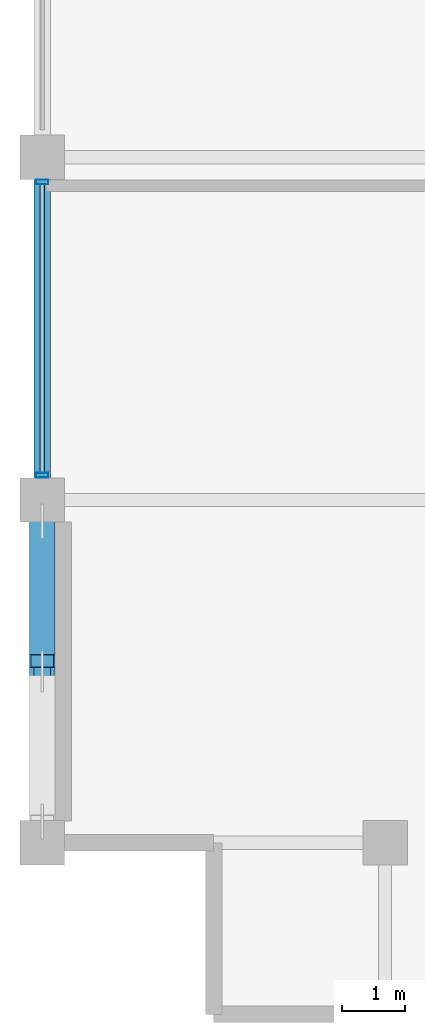
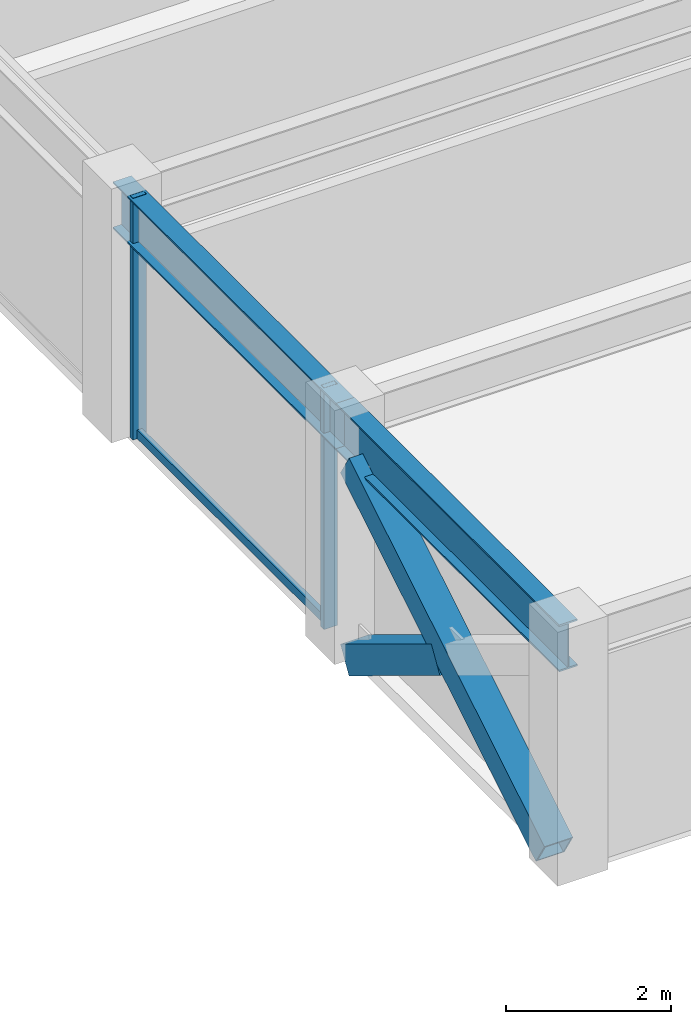
# One storey, part 4 of 30: 5 members, 2 beams, 1 element without a shape of its own.
"""IFC4 building model written with IfcOpenShell, lengths in metres."""

from ifc_helpers import new_model, si_unit, direction, frame, origin, origin_2d, place, context, subcontext, project, spatial, hollow_rectangle, i_section, extrude, material, layer, layer_set, material_profile, profile_set, type_object, element, aggregate, save


model = new_model("IFC4")

# Units and contexts
model_context = context("Model", 3, precision=1e-05, world=origin(), true_north=direction((0.0, 1.0)))
body_context = subcontext(model_context, "Body", "Model", "MODEL_VIEW")
ifc_project = project(units=[si_unit("LENGTHUNIT", "METRE"), si_unit("AREAUNIT", "SQUARE_METRE"), si_unit("VOLUMEUNIT", "CUBIC_METRE"), si_unit("PLANEANGLEUNIT", "RADIAN"), si_unit("MASSUNIT", "GRAM", prefix="KILO")], contexts=[model_context])

# Site, building, storey
site_placement = place(None, origin())
site = spatial("IfcSite", under=ifc_project, at=site_placement, CompositionType="ELEMENT")
building_placement = place(site_placement, origin())
building = spatial("IfcBuilding", under=site, at=building_placement, Name="Surkhivell Harbour Commons", CompositionType="ELEMENT")
storey_placement = place(building_placement, frame((0.0, 0.0, 292.5)))
storey = spatial("IfcBuildingStorey", under=building, at=storey_placement, Name="L76", CompositionType="ELEMENT", Elevation=292.5)

# Beams
ifc_material_1 = material(Name="Steel S355", Category="steel")
ifc_material_profile_1 = material_profile(ifc_material_1, i_section(OverallWidth=0.256103515625, OverallDepth=0.693115234375, WebThickness=0.014404296875, FlangeThickness=0.023681640625, at=origin_2d()), Name="UB686x254x170")
ifc_profile_set_1 = profile_set([ifc_material_profile_1], Name="Steel S355")
beam_type = type_object("IfcBeamType", Name="BM-SPN-686", PredefinedType="SPANDREL", material=ifc_profile_set_1)
beam_1_placement = place(storey_placement, frame((-27.0, -16.199951171875, 3.223388671875), z_axis=(0.0, 1.0, 0.0), x_axis=(-1.0, 0.0, 0.0)))
element("IfcBeam", 1, at=beam_1_placement, inside=storey, type_object=beam_type, Name="L76 Tube Spandrel (-27.0,-16.2)", PredefinedType="SPANDREL", context=body_context, shape_type="SweptSolid", body=[
    extrude(i_section(OverallWidth=0.256103515625, OverallDepth=0.693115234375, WebThickness=0.014404296875, FlangeThickness=0.023681640625, at=origin_2d()), origin(), (0.0, 0.0, 1.0), 5.39990234375),
])
beam_2_placement = place(storey_placement, frame((-27.0, -10.800048828125, 3.223388671875), z_axis=(0.0, 1.0, 0.0), x_axis=(-1.0, 0.0, 0.0)))
element("IfcBeam", 2, at=beam_2_placement, inside=storey, type_object=beam_type, Name="L76 Tube Spandrel (-27.0,-10.8)", PredefinedType="SPANDREL", context=body_context, shape_type="SweptSolid", body=[
    extrude(i_section(OverallWidth=0.256103515625, OverallDepth=0.693115234375, WebThickness=0.014404296875, FlangeThickness=0.023681640625, at=origin_2d()), origin(), (0.0, 0.0, 1.0), 5.400146484375),
])

# Curtain wall, members
ifc_material_2 = material(Name="Anodised pale-metal aluminium and insulated glazing", Category="aluminium")
ifc_layer = layer(ifc_material_2, 0.175048828125)
ifc_layer_set = layer_set([ifc_layer], Name="Anodised pale-metal aluminium and insulated glazing")
curtain_wall_type = type_object("IfcCurtainWallType", Name="CW-SYS-Z4", PredefinedType="NOTDEFINED", material=ifc_layer_set)
curtain_wall_placement = place(storey_placement, origin())
curtain_wall = element("IfcCurtainWall", 3, at=curtain_wall_placement, inside=storey, type_object=curtain_wall_type, Name="L76 Curtain Wall CW-L76-E12S1", PredefinedType="NOTDEFINED")
ifc_material_3 = material(Name="Anodised pale-metal aluminium alloy 6063-T6", Category="aluminium")
ifc_material_profile_2 = material_profile(ifc_material_3, hollow_rectangle(XDim=0.074951171875, YDim=0.18994140625, WallThickness=0.00390625, at=origin_2d()), Name="ALU-MULL-75x190")
ifc_profile_set_2 = profile_set([ifc_material_profile_2], Name="Anodised pale-metal aluminium alloy 6063-T6")
member_type_1 = type_object("IfcMemberType", Name="CWM-190", PredefinedType="MULLION", material=ifc_profile_set_2)
member_1_placement = place(storey_placement, frame((-27.0, -5.78955078125, 0.0), z_axis=(0.0, 0.0, 1.0), x_axis=(0.0, -1.0, 0.0)))
member_1 = element("IfcMember", 4, at=member_1_placement, type_object=member_type_1, Name="CW-Z4 mullion 6", PredefinedType="MULLION", context=body_context, shape_type="SweptSolid", body=[
    extrude(hollow_rectangle(XDim=0.074951171875, YDim=0.18994140625, WallThickness=0.00390625, at=origin_2d()), origin(), (0.0, 0.0, 1.0), 3.570068359375),
])
member_2_placement = place(storey_placement, frame((-27.0, -10.410400390625, 0.0), z_axis=(0.0, 0.0, 1.0), x_axis=(0.0, -1.0, 0.0)))
member_2 = element("IfcMember", 5, at=member_2_placement, type_object=member_type_1, Name="CW-Z4 mullion 7", PredefinedType="MULLION", context=body_context, shape_type="SweptSolid", body=[
    extrude(hollow_rectangle(XDim=0.074951171875, YDim=0.18994140625, WallThickness=0.00390625, at=origin_2d()), origin(), (0.0, 0.0, 1.0), 3.570068359375),
])
ifc_material_4 = material(Name="Champagne anodised aluminium alloy 6063-T6", Category="aluminium")
ifc_material_profile_3 = material_profile(ifc_material_4, hollow_rectangle(XDim=0.070068359375, YDim=0.1298828125, WallThickness=0.00341796875, at=origin_2d()), Name="ALU-TRAN-70x130")
ifc_profile_set_3 = profile_set([ifc_material_profile_3], Name="Champagne anodised aluminium alloy 6063-T6")
member_type_2 = type_object("IfcMemberType", Name="CWT-130", PredefinedType="USERDEFINED", material=ifc_profile_set_3)
member_3_placement = place(storey_placement, frame((-27.0, -5.826904296875, 0.06494140625), z_axis=(0.0, -1.0, 0.0), x_axis=(1.0, 0.0, 0.0)))
member_3 = element("IfcMember", 6, at=member_3_placement, type_object=member_type_2, Name="CW-Z4 transom 6.1", ObjectType="TRANSOM", PredefinedType="USERDEFINED", context=body_context, shape_type="SweptSolid", body=[
    extrude(hollow_rectangle(XDim=0.070068359375, YDim=0.1298828125, WallThickness=0.00341796875, at=origin_2d()), origin(), (0.0, 0.0, 1.0), 4.546142578125),
])
aggregate(curtain_wall, [member_1, member_2, member_3])

# Members
ifc_material_5 = material(Name="Steel S460", Category="steel")
ifc_material_profile_4 = material_profile(ifc_material_5, hollow_rectangle(XDim=0.39990234375, YDim=0.39990234375, WallThickness=0.02001953125, at=origin_2d()), Name="SHS400x400x20")
ifc_profile_set_4 = profile_set([ifc_material_profile_4], Name="Steel S460")
member_type_3 = type_object("IfcMemberType", Name="MEM-BRC-SHS400", PredefinedType="BRACE", material=ifc_profile_set_4)
member_4_placement = place(storey_placement, frame((-27.0, -15.864990234375, 0.008056640625), z_axis=(0.0, 0.854685454322, 0.519146197299), x_axis=(-1.0, 0.0, 0.0)))
element("IfcMember", 7, at=member_4_placement, inside=storey, type_object=member_type_3, Name="L76 Perimeter Mega-Brace MB- 10", PredefinedType="BRACE", context=body_context, shape_type="SweptSolid", body=[
    extrude(hollow_rectangle(XDim=0.39990234375, YDim=0.39990234375, WallThickness=0.02001953125, at=origin_2d()), origin(), (0.0, 0.0, 1.0), 5.5341796875),
])
member_5_placement = place(storey_placement, frame((-27.0, -11.135009765625, 0.008056640625), z_axis=(0.0, -0.854719912157, 0.519089464122), x_axis=(1.0, 0.0, 0.0)))
element("IfcMember", 8, at=member_5_placement, inside=storey, type_object=member_type_3, Name="L76 Perimeter Mega-Brace MB- 11", PredefinedType="BRACE", context=body_context, shape_type="SweptSolid", body=[
    extrude(hollow_rectangle(XDim=0.39990234375, YDim=0.39990234375, WallThickness=0.02001953125, at=origin_2d()), origin(), (0.0, 0.0, 1.0), 2.574951171875),
])

save(model, "model.ifc")
